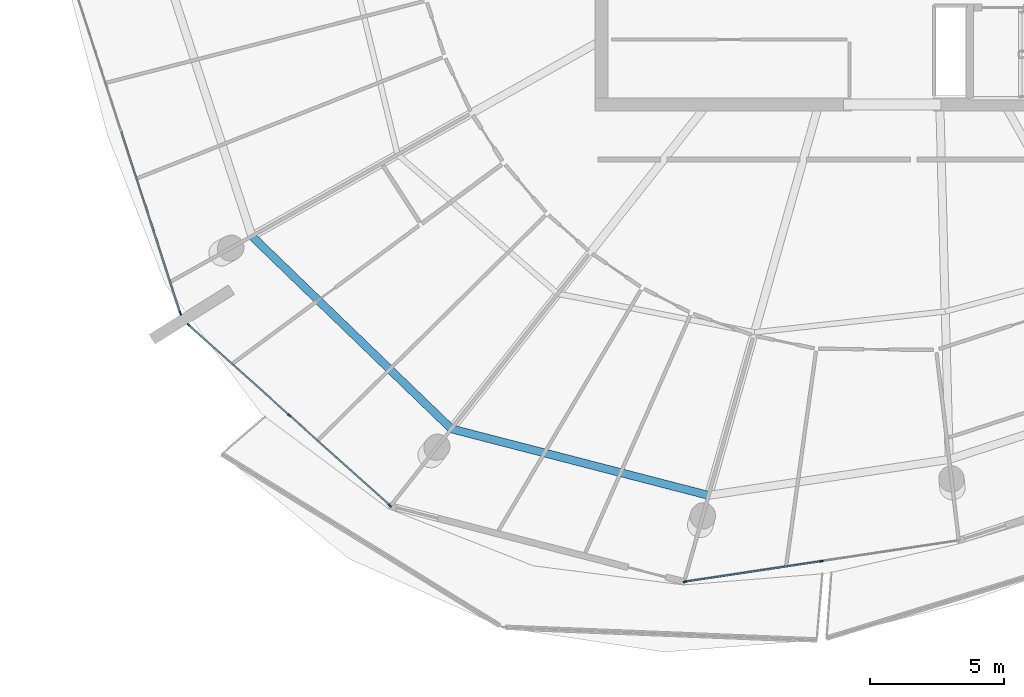
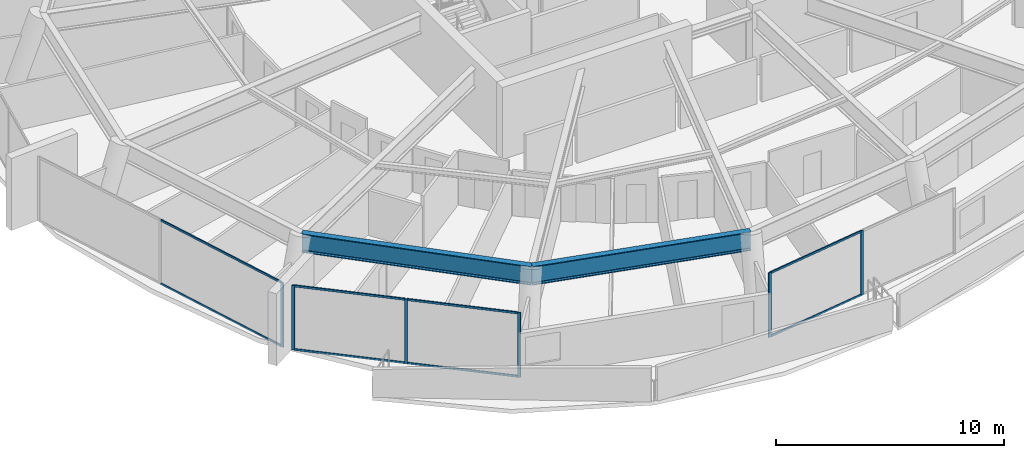
# One storey, part 6 of 30: 14 members, 2 beams, 3 elements without a shape of their own.
"""IFC4 building model written with IfcOpenShell, lengths in metres."""

from ifc_helpers import new_model, si_unit, direction, frame, origin, origin_2d, place, context, subcontext, project, spatial, rectangle, i_section, extrude, material, layer, layer_set, material_profile, profile_set, type_object, element, aggregate, save


model = new_model("IFC4")

# Units and contexts
model_context = context("Model", 3, precision=1e-05, world=origin(), true_north=direction((0.0, 1.0)))
body_context = subcontext(model_context, "Body", "Model", "MODEL_VIEW")
ifc_project = project(units=[si_unit("LENGTHUNIT", "METRE"), si_unit("AREAUNIT", "SQUARE_METRE"), si_unit("VOLUMEUNIT", "CUBIC_METRE"), si_unit("PLANEANGLEUNIT", "RADIAN"), si_unit("MASSUNIT", "GRAM", prefix="KILO")], contexts=[model_context])

# Site, building, storey
site_placement = place(None, origin())
site = spatial("IfcSite", under=ifc_project, at=site_placement, CompositionType="ELEMENT")
building_placement = place(site_placement, origin())
building = spatial("IfcBuilding", under=site, at=building_placement, Name="Kazma Halo Residences", CompositionType="ELEMENT")
storey_placement = place(building_placement, frame((0.0, 0.0, 302.14990234375)))
storey = spatial("IfcBuildingStorey", under=building, at=storey_placement, Name="L76", CompositionType="ELEMENT", Elevation=302.14990234375)

# Beams
ifc_material_1 = material(Name="Steel S355", Category="steel")
ifc_material_profile_1 = material_profile(ifc_material_1, i_section(OverallWidth=0.300048828125, OverallDepth=1.0, WebThickness=0.01904296875, FlangeThickness=0.0400390625, FilletRadius=0.02587890625, at=origin_2d()), Name="W1000x371")
ifc_profile_set_1 = profile_set([ifc_material_profile_1], Name="Steel S355")
beam_type = type_object("IfcBeamType", Name="BM-TRANS-W1000B", PredefinedType="BEAM", material=ifc_profile_set_1)
beam_1_placement = place(storey_placement, frame((24.480224609375, 28.828369140625, 2.9501953125), z_axis=(0.719337757483, -0.694660485892, 0.0), x_axis=(0.694660485892, 0.719337757483, 0.0)))
element("IfcBeam", 1, at=beam_1_placement, inside=storey, type_object=beam_type, Name="L76 perimeter ring beam 09", PredefinedType="BEAM", context=body_context, shape_type="SweptSolid", body=[
    extrude(i_section(OverallWidth=0.300048828125, OverallDepth=1.0, WebThickness=0.01904296875, FlangeThickness=0.0400390625, FilletRadius=0.02587890625, at=origin_2d()), origin(), (0.0, 0.0, 1.0), 10.3681640625),
])
beam_2_placement = place(storey_placement, frame((31.9384765625, 21.6259765625, 2.9501953125), z_axis=(0.968124405325, -0.250469830149, 0.0), x_axis=(0.250469830149, 0.968124405325, 0.0)))
element("IfcBeam", 2, at=beam_2_placement, inside=storey, type_object=beam_type, Name="L76 perimeter ring beam 10", PredefinedType="BEAM", context=body_context, shape_type="SweptSolid", body=[
    extrude(i_section(OverallWidth=0.300048828125, OverallDepth=1.0, WebThickness=0.01904296875, FlangeThickness=0.0400390625, FilletRadius=0.02587890625, at=origin_2d()), origin(), (0.0, 0.0, 1.0), 9.9306640625),
])

# Curtain wall, member
ifc_material_2 = material(Name="Aluminium AW-6063 T6 and Triple-Silver Low-E Glass", Category="aluminium")
ifc_layer = layer(ifc_material_2, 0.139892578125)
ifc_layer_set = layer_set([ifc_layer], Name="Aluminium AW-6063 T6 and Triple-Silver Low-E Glass")
curtain_wall_type = type_object("IfcCurtainWallType", Name="CW-SYS-5", PredefinedType="NOTDEFINED", material=ifc_layer_set)
curtain_wall_1_placement = place(storey_placement, origin())
curtain_wall_1 = element("IfcCurtainWall", 3, at=curtain_wall_1_placement, inside=storey, type_object=curtain_wall_type, Name="L76 unitised curtain wall B08", PredefinedType="NOTDEFINED")
ifc_material_3 = material(Name="Aluminium AW-6063 T6", Category="aluminium")
ifc_material_profile_2 = material_profile(ifc_material_3, rectangle(XDim=0.06005859375, YDim=0.139892578125, at=origin_2d()), Name="CWM-60x140")
ifc_profile_set_2 = profile_set([ifc_material_profile_2], Name="Aluminium AW-6063 T6")
member_type_1 = type_object("IfcMemberType", Name="CW-SYS-5-MUL", PredefinedType="MULLION", material=ifc_profile_set_2)
member_1_placement = place(storey_placement, frame((21.8076171875, 25.9521484375, 0.0), z_axis=(0.0, 0.0, 1.0), x_axis=(0.951058464359, 0.309010998786, 0.0)))
member_1 = element("IfcMember", 4, at=member_1_placement, type_object=member_type_1, Name="CWS-5 mullion 3", PredefinedType="MULLION", context=body_context, shape_type="SweptSolid", body=[
    extrude(rectangle(XDim=0.06005859375, YDim=0.139892578125, at=origin_2d()), origin(), (0.0, 0.0, 1.0), 3.4501953125),
])

# Curtain wall, members
curtain_wall_2_placement = place(storey_placement, origin())
curtain_wall_2 = element("IfcCurtainWall", 5, at=curtain_wall_2_placement, inside=storey, type_object=curtain_wall_type, Name="L76 unitised curtain wall B09", PredefinedType="NOTDEFINED")
member_2_placement = place(storey_placement, frame((22.11669921875, 25.508056640625, 0.0), z_axis=(0.0, 0.0, 1.0), x_axis=(0.667804826958, 0.744336424671, 0.0)))
member_2 = element("IfcMember", 6, at=member_2_placement, type_object=member_type_1, Name="CWS-5 mullion 1", PredefinedType="MULLION", context=body_context, shape_type="SweptSolid", body=[
    extrude(rectangle(XDim=0.06005859375, YDim=0.139892578125, at=origin_2d()), origin(), (0.0, 0.0, 1.0), 3.4501953125),
])
member_3_placement = place(storey_placement, frame((25.878173828125, 22.13330078125, 0.0), z_axis=(0.0, 0.0, 1.0), x_axis=(0.667804826958, 0.744336424671, 0.0)))
member_3 = element("IfcMember", 7, at=member_3_placement, type_object=member_type_1, Name="CWS-5 mullion 2", PredefinedType="MULLION", context=body_context, shape_type="SweptSolid", body=[
    extrude(rectangle(XDim=0.06005859375, YDim=0.139892578125, at=origin_2d()), origin(), (0.0, 0.0, 1.0), 3.4501953125),
])
member_4_placement = place(storey_placement, frame((29.6396484375, 18.758544921875, 0.0), z_axis=(0.0, 0.0, 1.0), x_axis=(0.667804826958, 0.744336424671, 0.0)))
member_4 = element("IfcMember", 8, at=member_4_placement, type_object=member_type_1, Name="CWS-5 mullion 3", PredefinedType="MULLION", context=body_context, shape_type="SweptSolid", body=[
    extrude(rectangle(XDim=0.06005859375, YDim=0.139892578125, at=origin_2d()), origin(), (0.0, 0.0, 1.0), 3.4501953125),
])

curtain_wall_3_placement = place(storey_placement, origin())
curtain_wall_3 = element("IfcCurtainWall", 9, at=curtain_wall_3_placement, inside=storey, type_object=curtain_wall_type, Name="L76 unitised curtain wall B11", PredefinedType="NOTDEFINED")
member_5_placement = place(storey_placement, frame((40.671142578125, 15.912841796875, 0.0), z_axis=(0.0, 0.0, 1.0), x_axis=(-0.148697080374, 0.988882792998, 0.0)))
member_5 = element("IfcMember", 10, at=member_5_placement, type_object=member_type_1, Name="CWS-5 mullion 1", PredefinedType="MULLION", context=body_context, shape_type="SweptSolid", body=[
    extrude(rectangle(XDim=0.06005859375, YDim=0.139892578125, at=origin_2d()), origin(), (0.0, 0.0, 1.0), 3.4501953125),
])
member_6_placement = place(storey_placement, frame((45.7734375, 16.679931640625, 0.0), z_axis=(0.0, 0.0, 1.0), x_axis=(-0.148697080374, 0.988882792998, 0.0)))
member_6 = element("IfcMember", 11, at=member_6_placement, type_object=member_type_1, Name="CWS-5 mullion 2", PredefinedType="MULLION", context=body_context, shape_type="SweptSolid", body=[
    extrude(rectangle(XDim=0.06005859375, YDim=0.139892578125, at=origin_2d()), origin(), (0.0, 0.0, 1.0), 3.4501953125),
])

# Member
ifc_material_profile_3 = material_profile(ifc_material_3, rectangle(XDim=0.06005859375, YDim=0.10498046875, at=origin_2d()), Name="CWT-60x105")
ifc_profile_set_3 = profile_set([ifc_material_profile_3], Name="Aluminium AW-6063 T6")
member_type_2 = type_object("IfcMemberType", Name="CW-SYS-5-TRN", PredefinedType="USERDEFINED", material=ifc_profile_set_3)
member_7_placement = place(storey_placement, frame((19.6015625, 32.7412109375, 0.030029296875), z_axis=(0.309027052142, -0.95105324827, 0.0), x_axis=(0.95105324827, 0.309027052142, 0.0)))
member_7 = element("IfcMember", 12, at=member_7_placement, type_object=member_type_2, Name="CWS-5 transom 2.1", ObjectType="TRANSOM", PredefinedType="USERDEFINED", context=body_context, shape_type="SweptSolid", body=[
    extrude(rectangle(XDim=0.06005859375, YDim=0.10498046875, at=origin_2d()), origin(), (0.0, 0.0, 1.0), 7.108642578125),
])

member_8_placement = place(storey_placement, frame((19.6015625, 32.7412109375, 3.420166015625), z_axis=(0.309027052142, -0.95105324827, 0.0), x_axis=(0.95105324827, 0.309027052142, 0.0)))
member_8 = element("IfcMember", 13, at=member_8_placement, type_object=member_type_2, Name="CWS-5 transom 2.2", ObjectType="TRANSOM", PredefinedType="USERDEFINED", context=body_context, shape_type="SweptSolid", body=[
    extrude(rectangle(XDim=0.06005859375, YDim=0.10498046875, at=origin_2d()), origin(), (0.0, 0.0, 1.0), 7.108642578125),
])

aggregate(curtain_wall_1, [member_1, member_7, member_8])

member_9_placement = place(storey_placement, frame((22.138916015625, 25.488037109375, 0.030029296875), z_axis=(0.744328897483, -0.667813216679, 0.0), x_axis=(0.667813216679, 0.744328897483, 0.0)))
member_9 = element("IfcMember", 14, at=member_9_placement, type_object=member_type_2, Name="CWS-5 transom 1.1", ObjectType="TRANSOM", PredefinedType="USERDEFINED", context=body_context, shape_type="SweptSolid", body=[
    extrude(rectangle(XDim=0.06005859375, YDim=0.10498046875, at=origin_2d()), origin(), (0.0, 0.0, 1.0), 4.993408203125),
])

member_10_placement = place(storey_placement, frame((22.138916015625, 25.488037109375, 3.420166015625), z_axis=(0.744328897483, -0.667813216679, 0.0), x_axis=(0.667813216679, 0.744328897483, 0.0)))
member_10 = element("IfcMember", 15, at=member_10_placement, type_object=member_type_2, Name="CWS-5 transom 1.2", ObjectType="TRANSOM", PredefinedType="USERDEFINED", context=body_context, shape_type="SweptSolid", body=[
    extrude(rectangle(XDim=0.06005859375, YDim=0.10498046875, at=origin_2d()), origin(), (0.0, 0.0, 1.0), 4.993408203125),
])

member_11_placement = place(storey_placement, frame((25.900390625, 22.11328125, 0.030029296875), z_axis=(0.744350700793, -0.667788914425, 0.0), x_axis=(0.667788914425, 0.744350700793, 0.0)))
member_11 = element("IfcMember", 16, at=member_11_placement, type_object=member_type_2, Name="CWS-5 transom 2.1", ObjectType="TRANSOM", PredefinedType="USERDEFINED", context=body_context, shape_type="SweptSolid", body=[
    extrude(rectangle(XDim=0.06005859375, YDim=0.10498046875, at=origin_2d()), origin(), (0.0, 0.0, 1.0), 4.99365234375),
])

member_12_placement = place(storey_placement, frame((25.900390625, 22.11328125, 3.420166015625), z_axis=(0.744350700793, -0.667788914425, 0.0), x_axis=(0.667788914425, 0.744350700793, 0.0)))
member_12 = element("IfcMember", 17, at=member_12_placement, type_object=member_type_2, Name="CWS-5 transom 2.2", ObjectType="TRANSOM", PredefinedType="USERDEFINED", context=body_context, shape_type="SweptSolid", body=[
    extrude(rectangle(XDim=0.06005859375, YDim=0.10498046875, at=origin_2d()), origin(), (0.0, 0.0, 1.0), 4.99365234375),
])

aggregate(curtain_wall_2, [member_2, member_3, member_4, member_9, member_10, member_11, member_12])

member_13_placement = place(storey_placement, frame((40.70068359375, 15.917236328125, 0.030029296875), z_axis=(0.988883972013, 0.148689239341, 0.0), x_axis=(-0.148689239341, 0.988883972013, 0.0)))
member_13 = element("IfcMember", 18, at=member_13_placement, type_object=member_type_2, Name="CWS-5 transom 1.1", ObjectType="TRANSOM", PredefinedType="USERDEFINED", context=body_context, shape_type="SweptSolid", body=[
    extrude(rectangle(XDim=0.06005859375, YDim=0.10498046875, at=origin_2d()), origin(), (0.0, 0.0, 1.0), 5.099853515625),
])

member_14_placement = place(storey_placement, frame((40.70068359375, 15.917236328125, 3.420166015625), z_axis=(0.988883972013, 0.148689239341, 0.0), x_axis=(-0.148689239341, 0.988883972013, 0.0)))
member_14 = element("IfcMember", 19, at=member_14_placement, type_object=member_type_2, Name="CWS-5 transom 1.2", ObjectType="TRANSOM", PredefinedType="USERDEFINED", context=body_context, shape_type="SweptSolid", body=[
    extrude(rectangle(XDim=0.06005859375, YDim=0.10498046875, at=origin_2d()), origin(), (0.0, 0.0, 1.0), 5.099853515625),
])

aggregate(curtain_wall_3, [member_5, member_6, member_13, member_14])

save(model, "model.ifc")
